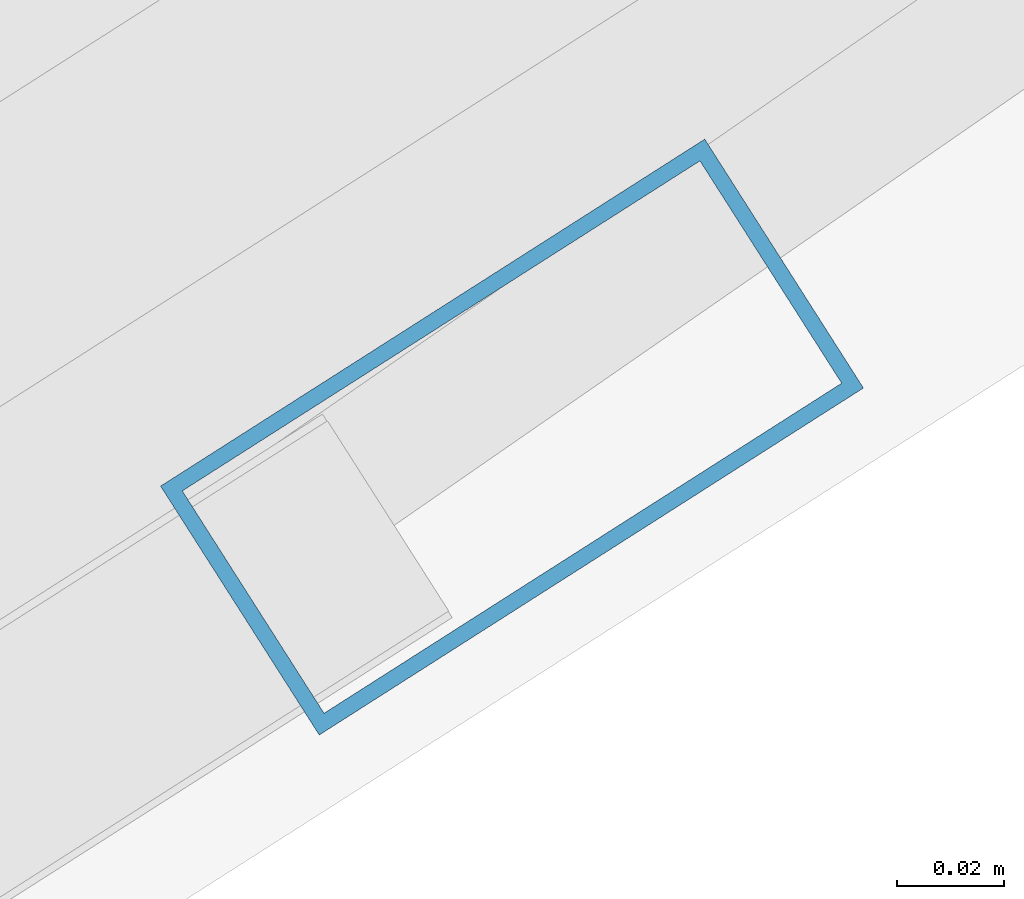
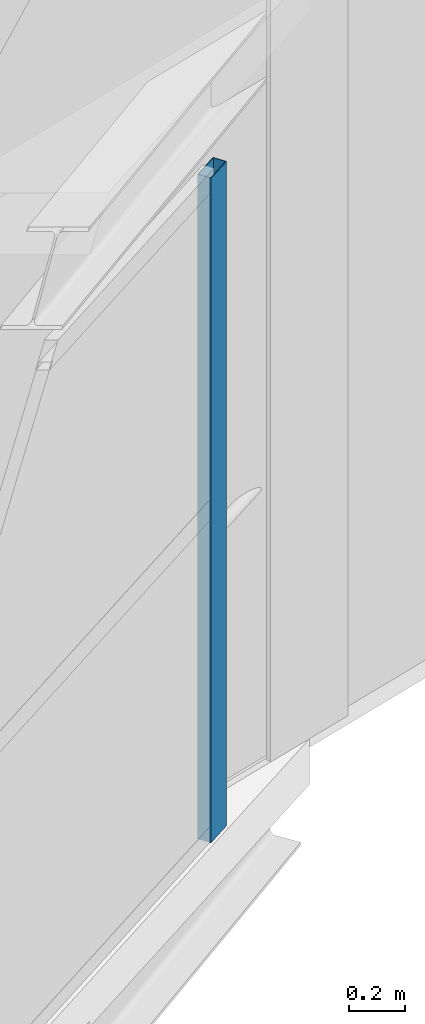
# One storey, part 136 of 248: 1 member, 1 element without a shape of its own.
"""IFC4 building model written with IfcOpenShell, lengths in metres."""

import ifcopenshell
import ifcopenshell.guid

model = None  # the IFC model being written
_history = None  # IfcOwnerHistory: only IFC2X3 demands one
_inside = {}  # id of a spatial element -> (the spatial element, [elements in it])
_under = {}  # id of a project, library or spatial element -> (it, [spatial elements below it])
_declared = {}  # id of a project -> (the project, [libraries it declares])
_typed = {}  # id of a type object -> (the type object, [elements of that type])
_made_of = {}  # id of a material, layer set ... -> (it, [elements and type objects made of it])


def new_model(schema):
    """Start an empty IFC model of exactly this schema.

    Asked for "IFC4X3", IfcOpenShell would pick the latest addendum, in which some entities
    have other attributes; the version numbers below select the first issue.
    IFC2X3 requires an IfcOwnerHistory on every rooted entity: one is made here for all.
    """
    global model, _history
    if schema == "IFC4X3":
        model = ifcopenshell.file(schema_version=(4, 3, 0, 0))
    else:
        model = ifcopenshell.file(schema=schema)
    _inside.clear()
    _under.clear()
    _declared.clear()
    _typed.clear()
    _made_of.clear()
    _history = None
    if model.schema == "IFC2X3":
        org = make("IfcOrganization", Name="unknown")
        user = make(
            "IfcPersonAndOrganization",
            ThePerson=make("IfcPerson", FamilyName="unknown"),
            TheOrganization=org,
        )
        app = make(
            "IfcApplication",
            ApplicationDeveloper=org,
            Version="unknown",
            ApplicationFullName="unknown",
            ApplicationIdentifier="unknown",
        )
        _history = make(
            "IfcOwnerHistory",
            OwningUser=user,
            OwningApplication=app,
            ChangeAction="ADDED",
            CreationDate=0,
        )
    return model


def make(cls, **values):
    """One entity of the class cls with the attributes given. An attribute that is None is left unset."""
    return model.create_entity(
        cls, **{name: value for name, value in values.items() if value is not None}
    )


def rooted(cls, **values):
    """An entity with a GlobalId (a new one), such as an element, a storey or a relation."""
    return make(cls, GlobalId=ifcopenshell.guid.new(), OwnerHistory=_history, **values)


def si_unit(unit_type, name, prefix=None):
    """IfcSIUnit, for example si_unit("LENGTHUNIT", "METRE", prefix="MILLI")."""
    return make("IfcSIUnit", UnitType=unit_type, Prefix=prefix, Name=name)


def assignment(units):
    """IfcUnitAssignment: the units of a project."""
    return None if units is None else make("IfcUnitAssignment", Units=units)


def point(xyz):
    """IfcCartesianPoint."""
    return None if xyz is None else make("IfcCartesianPoint", Coordinates=xyz)


def direction(xyz):
    """IfcDirection."""
    return None if xyz is None else make("IfcDirection", DirectionRatios=xyz)


def frame(location, z_axis=None, x_axis=None):
    """IfcAxis2Placement3D, a coordinate frame: its origin and axes. An axis left out is left unset."""
    return make(
        "IfcAxis2Placement3D",
        Location=point(location),
        Axis=direction(z_axis),
        RefDirection=direction(x_axis),
    )


def frame_2d(location, x_axis=None):
    """IfcAxis2Placement2D, a coordinate frame in the plane: its origin and x axis."""
    return make(
        "IfcAxis2Placement2D", Location=point(location), RefDirection=direction(x_axis)
    )


def origin():
    """The frame at (0, 0, 0) with its axes left unset."""
    return frame((0.0, 0.0, 0.0))


def origin_2d():
    """The frame at (0, 0) in the plane with its x axis left unset."""
    return frame_2d((0.0, 0.0))


def place(relative_to, where):
    """IfcLocalPlacement: puts the frame where relative to a parent placement (None: the world)."""
    return make(
        "IfcLocalPlacement", PlacementRelTo=relative_to, RelativePlacement=where
    )


def context(
    kind, dimensions, precision=None, world=None, true_north=None, identifier=None
):
    """IfcGeometricRepresentationContext, for example the 3D "Model" context."""
    return make(
        "IfcGeometricRepresentationContext",
        ContextIdentifier=identifier,
        ContextType=kind,
        CoordinateSpaceDimension=dimensions,
        Precision=precision,
        WorldCoordinateSystem=world,
        TrueNorth=true_north,
    )


def subcontext(parent, identifier, kind, view, scale=None):
    """IfcGeometricRepresentationSubContext, for example "Body" below "Model"."""
    return make(
        "IfcGeometricRepresentationSubContext",
        ContextIdentifier=identifier,
        ContextType=kind,
        ParentContext=parent,
        TargetScale=scale,
        TargetView=view,
    )


def project(units=None, contexts=None):
    """IfcProject with its units and contexts."""
    return rooted(
        "IfcProject",
        Name="project",
        RepresentationContexts=contexts,
        UnitsInContext=assignment(units),
    )


def spatial(cls, under=None, at=None, **own):
    """A site, building, storey or space (cls), placed at a placement, below another one or the project."""
    s = rooted(cls, ObjectPlacement=at, **own)
    if under is not None:
        _under.setdefault(under.id(), (under, []))[1].append(s)
    return s


def profile(cls, at=None, kind="AREA", **sizes):
    """A parametric profile (cls). Its sizes go by their IFC names, for example OverallWidth=200.0."""
    return make(cls, ProfileType=kind, Position=at, **sizes)


def hollow_rectangle(**sizes):
    """IfcRectangleHollowProfileDef."""
    return profile("IfcRectangleHollowProfileDef", **sizes)


def extrude(swept, where, along, depth):
    """IfcExtrudedAreaSolid: the profile swept, set in the frame where, extruded along a direction by depth."""
    return make(
        "IfcExtrudedAreaSolid",
        SweptArea=swept,
        Position=where,
        ExtrudedDirection=direction(along),
        Depth=depth,
    )


def shape(context_of_items, identifier, shape_type, items):
    """IfcShapeRepresentation: the items that make up one representation, for example the "Body"."""
    return make(
        "IfcShapeRepresentation",
        ContextOfItems=context_of_items,
        RepresentationIdentifier=identifier,
        RepresentationType=shape_type,
        Items=items,
    )


def material(Name=None, Category=None):
    """IfcMaterial."""
    return make("IfcMaterial", Name=Name, Category=Category)


def layer(
    of_material, thickness, ventilated=None, Name=None, Category=None, Priority=None
):
    """IfcMaterialLayer: one layer of a wall or slab, of a material (None: an air gap)."""
    return make(
        "IfcMaterialLayer",
        Material=of_material,
        LayerThickness=thickness,
        IsVentilated=ventilated,
        Name=Name,
        Category=Category,
        Priority=Priority,
    )


def layer_set(layers, Name=None):
    """IfcMaterialLayerSet."""
    return make("IfcMaterialLayerSet", MaterialLayers=layers, LayerSetName=Name)


def material_profile(
    of_material, cross_section, Name=None, Category=None, Priority=None
):
    """IfcMaterialProfile: a cross section and its material."""
    return make(
        "IfcMaterialProfile",
        Name=Name,
        Material=of_material,
        Profile=cross_section,
        Priority=Priority,
        Category=Category,
    )


def profile_set(profiles, Name=None, composite=None):
    """IfcMaterialProfileSet."""
    return make(
        "IfcMaterialProfileSet",
        Name=Name,
        MaterialProfiles=profiles,
        CompositeProfile=composite,
    )


def made_of(thing, what):
    """Note that an element or type object is made of a material, layer set ...; save() writes the relation."""
    if what is not None:
        _made_of.setdefault(what.id(), (what, []))[1].append(thing)
    return thing


def type_object(cls, material=None, **own):
    """A type object (cls), such as IfcWallType, which elements share."""
    return made_of(rooted(cls, **own), material)


def element(
    cls,
    number,
    at=None,
    inside=None,
    cuts=None,
    type_object=None,
    material=None,
    context=None,
    identifier="Body",
    shape_type=None,
    held_by="IfcProductDefinitionShape",
    body=None,
    shapes=None,
    **own,
):
    """One element of the class cls, such as IfcWall. Its Tag is "e" and its number.

    at: its placement. inside: the storey or other place that contains it. cuts: it is an
    opening in that element (IfcRelVoidsElement). A single representation is given by context,
    identifier, shape_type and body (its items); several are given by shapes. held_by: the class
    of the entity that holds the representations. save() writes the other relations.
    """
    e = rooted(cls, Tag="e%d" % number, ObjectPlacement=at, **own)
    if body is not None:
        shapes = [shape(context, identifier, shape_type, body)]
    if shapes is not None:
        e.Representation = make(held_by, Representations=shapes)
    if inside is not None:
        _inside.setdefault(inside.id(), (inside, []))[1].append(e)
    if cuts is not None:
        rooted(
            "IfcRelVoidsElement", RelatingBuildingElement=cuts, RelatedOpeningElement=e
        )
    if type_object is not None:
        _typed.setdefault(type_object.id(), (type_object, []))[1].append(e)
    return made_of(e, material)


def aggregate(whole, parts):
    """IfcRelAggregates: a whole, such as a stair, and the parts it consists of."""
    return rooted("IfcRelAggregates", RelatingObject=whole, RelatedObjects=parts)


def save(model, path):
    """Write the relations noted so far, then the file.

    IfcRelAggregates (storeys below a building ...), IfcRelContainedInSpatialStructure (elements
    in a storey), IfcRelDefinesByType, IfcRelAssociatesMaterial and IfcRelDeclares: one each for
    every whole, place, type object, material and project.
    """
    for whole, parts in _under.values():
        aggregate(whole, parts)
    for where, things in _inside.values():
        rooted(
            "IfcRelContainedInSpatialStructure",
            RelatedElements=things,
            RelatingStructure=where,
        )
    for kind, things in _typed.values():
        rooted("IfcRelDefinesByType", RelatedObjects=things, RelatingType=kind)
    for what, things in _made_of.values():
        rooted("IfcRelAssociatesMaterial", RelatedObjects=things, RelatingMaterial=what)
    for by, libraries in _declared.values():
        rooted("IfcRelDeclares", RelatingContext=by, RelatedDefinitions=libraries)
    model.write(path)


model = new_model("IFC4")

# Units and contexts
model_context = context("Model", 3, precision=1e-05, world=origin(), true_north=direction((0.0, 1.0)))
body_context = subcontext(model_context, "Body", "Model", "MODEL_VIEW")
ifc_project = project(units=[si_unit("LENGTHUNIT", "METRE"), si_unit("AREAUNIT", "SQUARE_METRE"), si_unit("VOLUMEUNIT", "CUBIC_METRE"), si_unit("PLANEANGLEUNIT", "RADIAN"), si_unit("MASSUNIT", "GRAM", prefix="KILO")], contexts=[model_context])

# Site, building, storey
site_placement = place(None, origin())
site = spatial("IfcSite", under=ifc_project, at=site_placement, CompositionType="ELEMENT")
building_placement = place(site_placement, origin())
building = spatial("IfcBuilding", under=site, at=building_placement, Name="Canggui Botanical Conservatory", CompositionType="ELEMENT")
storey_placement = place(building_placement, frame((0.0, 0.0, 5.39990234375)))
storey = spatial("IfcBuildingStorey", under=building, at=storey_placement, Name="L02", CompositionType="ELEMENT", Elevation=5.39990234375)

# Curtain wall, member
ifc_material = material(Name="Thermally Broken Aluminium", Category="aluminium")
ifc_layer = layer(ifc_material, 0.1201171875, Name="Thermally Broken Aluminium", Category="aluminium")
ifc_layer_set = layer_set([ifc_layer], Name="Thermally Broken Aluminium")
curtain_wall_type = type_object("IfcCurtainWallType", Name="CW-STICK-B", PredefinedType="USERDEFINED", material=ifc_layer_set)
curtain_wall_placement = place(storey_placement, origin())
curtain_wall = element("IfcCurtainWall", 1, at=curtain_wall_placement, inside=storey, type_object=curtain_wall_type, Name="Facade Curtain Wall CW-SB-03-2", ObjectType="STICK GLAZED WALL", PredefinedType="USERDEFINED")
ifc_material_profile = material_profile(ifc_material, hollow_rectangle(XDim=0.054931640625, YDim=0.1201171875, WallThickness=0.0029296875, at=origin_2d()), Name="CWM 55x120x3")
ifc_profile_set = profile_set([ifc_material_profile], Name="Thermally Broken Aluminium")
member_type = type_object("IfcMemberType", Name="CWM-05", PredefinedType="MULLION", material=ifc_profile_set)
member_placement = place(storey_placement, frame((71.22314453125, 91.157470703125, 0.0), z_axis=(0.0, 0.0, 1.0), x_axis=(-0.537600449716, 0.843199713274, 0.0)))
member = element("IfcMember", 2, at=member_placement, type_object=member_type, Name="CW-05 mullion 5", PredefinedType="MULLION", context=body_context, shape_type="SweptSolid", body=[
    extrude(hollow_rectangle(XDim=0.054931640625, YDim=0.1201171875, WallThickness=0.0029296875, at=origin_2d()), origin(), (0.0, 0.0, 1.0), 2.900146484375),
])
aggregate(curtain_wall, [member])

save(model, "model.ifc")
